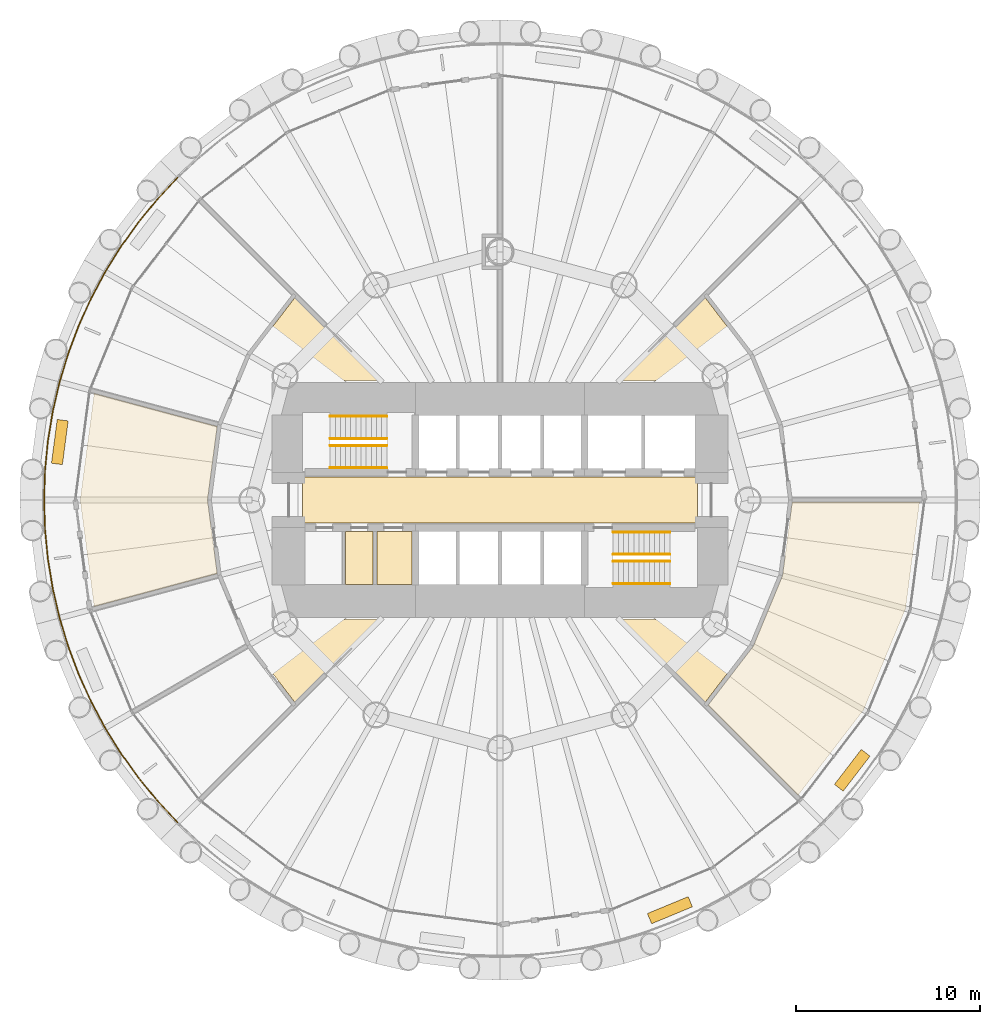
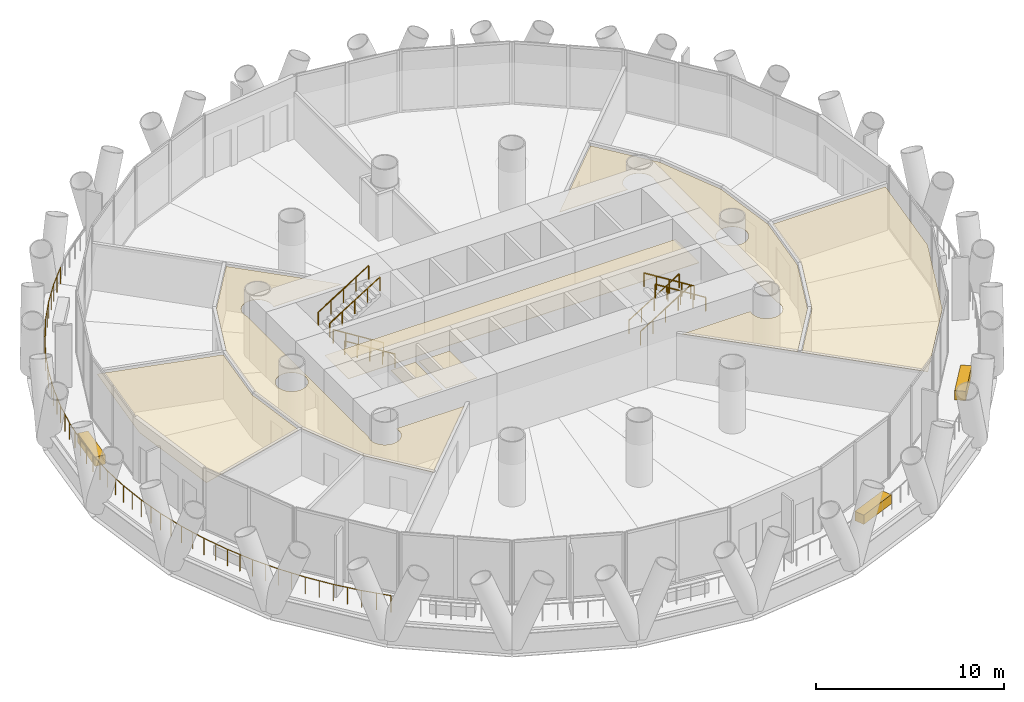
# One storey, part 12 of 14: 10 coverings, 9 railings.
"""IFC4 building model written with IfcOpenShell, lengths in metres."""

import ifcopenshell
import ifcopenshell.guid

model = None  # the IFC model being written
_history = None  # IfcOwnerHistory: only IFC2X3 demands one
_inside = {}  # id of a spatial element -> (the spatial element, [elements in it])
_under = {}  # id of a project, library or spatial element -> (it, [spatial elements below it])
_declared = {}  # id of a project -> (the project, [libraries it declares])
_typed = {}  # id of a type object -> (the type object, [elements of that type])
_made_of = {}  # id of a material, layer set ... -> (it, [elements and type objects made of it])


def new_model(schema):
    """Start an empty IFC model of exactly this schema.

    Asked for "IFC4X3", IfcOpenShell would pick the latest addendum, in which some entities
    have other attributes; the version numbers below select the first issue.
    IFC2X3 requires an IfcOwnerHistory on every rooted entity: one is made here for all.
    """
    global model, _history
    if schema == "IFC4X3":
        model = ifcopenshell.file(schema_version=(4, 3, 0, 0))
    else:
        model = ifcopenshell.file(schema=schema)
    _inside.clear()
    _under.clear()
    _declared.clear()
    _typed.clear()
    _made_of.clear()
    _history = None
    if model.schema == "IFC2X3":
        org = make("IfcOrganization", Name="unknown")
        user = make(
            "IfcPersonAndOrganization",
            ThePerson=make("IfcPerson", FamilyName="unknown"),
            TheOrganization=org,
        )
        app = make(
            "IfcApplication",
            ApplicationDeveloper=org,
            Version="unknown",
            ApplicationFullName="unknown",
            ApplicationIdentifier="unknown",
        )
        _history = make(
            "IfcOwnerHistory",
            OwningUser=user,
            OwningApplication=app,
            ChangeAction="ADDED",
            CreationDate=0,
        )
    return model


def make(cls, **values):
    """One entity of the class cls with the attributes given. An attribute that is None is left unset."""
    return model.create_entity(
        cls, **{name: value for name, value in values.items() if value is not None}
    )


def rooted(cls, **values):
    """An entity with a GlobalId (a new one), such as an element, a storey or a relation."""
    return make(cls, GlobalId=ifcopenshell.guid.new(), OwnerHistory=_history, **values)


def si_unit(unit_type, name, prefix=None):
    """IfcSIUnit, for example si_unit("LENGTHUNIT", "METRE", prefix="MILLI")."""
    return make("IfcSIUnit", UnitType=unit_type, Prefix=prefix, Name=name)


def assignment(units):
    """IfcUnitAssignment: the units of a project."""
    return None if units is None else make("IfcUnitAssignment", Units=units)


def point(xyz):
    """IfcCartesianPoint."""
    return None if xyz is None else make("IfcCartesianPoint", Coordinates=xyz)


def direction(xyz):
    """IfcDirection."""
    return None if xyz is None else make("IfcDirection", DirectionRatios=xyz)


def frame(location, z_axis=None, x_axis=None):
    """IfcAxis2Placement3D, a coordinate frame: its origin and axes. An axis left out is left unset."""
    return make(
        "IfcAxis2Placement3D",
        Location=point(location),
        Axis=direction(z_axis),
        RefDirection=direction(x_axis),
    )


def frame_2d(location, x_axis=None):
    """IfcAxis2Placement2D, a coordinate frame in the plane: its origin and x axis."""
    return make(
        "IfcAxis2Placement2D", Location=point(location), RefDirection=direction(x_axis)
    )


def origin():
    """The frame at (0, 0, 0) with its axes left unset."""
    return frame((0.0, 0.0, 0.0))


def origin_2d():
    """The frame at (0, 0) in the plane with its x axis left unset."""
    return frame_2d((0.0, 0.0))


def place(relative_to, where):
    """IfcLocalPlacement: puts the frame where relative to a parent placement (None: the world)."""
    return make(
        "IfcLocalPlacement", PlacementRelTo=relative_to, RelativePlacement=where
    )


def context(
    kind, dimensions, precision=None, world=None, true_north=None, identifier=None
):
    """IfcGeometricRepresentationContext, for example the 3D "Model" context."""
    return make(
        "IfcGeometricRepresentationContext",
        ContextIdentifier=identifier,
        ContextType=kind,
        CoordinateSpaceDimension=dimensions,
        Precision=precision,
        WorldCoordinateSystem=world,
        TrueNorth=true_north,
    )


def subcontext(parent, identifier, kind, view, scale=None):
    """IfcGeometricRepresentationSubContext, for example "Body" below "Model"."""
    return make(
        "IfcGeometricRepresentationSubContext",
        ContextIdentifier=identifier,
        ContextType=kind,
        ParentContext=parent,
        TargetScale=scale,
        TargetView=view,
    )


def project(units=None, contexts=None):
    """IfcProject with its units and contexts."""
    return rooted(
        "IfcProject",
        Name="project",
        RepresentationContexts=contexts,
        UnitsInContext=assignment(units),
    )


def spatial(cls, under=None, at=None, **own):
    """A site, building, storey or space (cls), placed at a placement, below another one or the project."""
    s = rooted(cls, ObjectPlacement=at, **own)
    if under is not None:
        _under.setdefault(under.id(), (under, []))[1].append(s)
    return s


def polyline(points):
    """IfcPolyline through the points."""
    return make("IfcPolyline", Points=[point(p) for p in points])


def profile(cls, at=None, kind="AREA", **sizes):
    """A parametric profile (cls). Its sizes go by their IFC names, for example OverallWidth=200.0."""
    return make(cls, ProfileType=kind, Position=at, **sizes)


def rectangle(**sizes):
    """IfcRectangleProfileDef."""
    return profile("IfcRectangleProfileDef", **sizes)


def circle(**sizes):
    """IfcCircleProfileDef."""
    return profile("IfcCircleProfileDef", **sizes)


def outline(outer, holes=None, kind="AREA"):
    """IfcArbitraryClosedProfileDef: a profile drawn as a closed curve; with holes, ...WithVoids."""
    if holes is None:
        return make("IfcArbitraryClosedProfileDef", ProfileType=kind, OuterCurve=outer)
    return make(
        "IfcArbitraryProfileDefWithVoids",
        ProfileType=kind,
        OuterCurve=outer,
        InnerCurves=holes,
    )


def extrude(swept, where, along, depth):
    """IfcExtrudedAreaSolid: the profile swept, set in the frame where, extruded along a direction by depth."""
    return make(
        "IfcExtrudedAreaSolid",
        SweptArea=swept,
        Position=where,
        ExtrudedDirection=direction(along),
        Depth=depth,
    )


def shape(context_of_items, identifier, shape_type, items):
    """IfcShapeRepresentation: the items that make up one representation, for example the "Body"."""
    return make(
        "IfcShapeRepresentation",
        ContextOfItems=context_of_items,
        RepresentationIdentifier=identifier,
        RepresentationType=shape_type,
        Items=items,
    )


def material(Name=None, Category=None):
    """IfcMaterial."""
    return make("IfcMaterial", Name=Name, Category=Category)


def layer(
    of_material, thickness, ventilated=None, Name=None, Category=None, Priority=None
):
    """IfcMaterialLayer: one layer of a wall or slab, of a material (None: an air gap)."""
    return make(
        "IfcMaterialLayer",
        Material=of_material,
        LayerThickness=thickness,
        IsVentilated=ventilated,
        Name=Name,
        Category=Category,
        Priority=Priority,
    )


def layer_set(layers, Name=None):
    """IfcMaterialLayerSet."""
    return make("IfcMaterialLayerSet", MaterialLayers=layers, LayerSetName=Name)


def made_of(thing, what):
    """Note that an element or type object is made of a material, layer set ...; save() writes the relation."""
    if what is not None:
        _made_of.setdefault(what.id(), (what, []))[1].append(thing)
    return thing


def type_object(cls, material=None, **own):
    """A type object (cls), such as IfcWallType, which elements share."""
    return made_of(rooted(cls, **own), material)


def element(
    cls,
    number,
    at=None,
    inside=None,
    cuts=None,
    type_object=None,
    material=None,
    context=None,
    identifier="Body",
    shape_type=None,
    held_by="IfcProductDefinitionShape",
    body=None,
    shapes=None,
    **own,
):
    """One element of the class cls, such as IfcWall. Its Tag is "e" and its number.

    at: its placement. inside: the storey or other place that contains it. cuts: it is an
    opening in that element (IfcRelVoidsElement). A single representation is given by context,
    identifier, shape_type and body (its items); several are given by shapes. held_by: the class
    of the entity that holds the representations. save() writes the other relations.
    """
    e = rooted(cls, Tag="e%d" % number, ObjectPlacement=at, **own)
    if body is not None:
        shapes = [shape(context, identifier, shape_type, body)]
    if shapes is not None:
        e.Representation = make(held_by, Representations=shapes)
    if inside is not None:
        _inside.setdefault(inside.id(), (inside, []))[1].append(e)
    if cuts is not None:
        rooted(
            "IfcRelVoidsElement", RelatingBuildingElement=cuts, RelatedOpeningElement=e
        )
    if type_object is not None:
        _typed.setdefault(type_object.id(), (type_object, []))[1].append(e)
    return made_of(e, material)


def aggregate(whole, parts):
    """IfcRelAggregates: a whole, such as a stair, and the parts it consists of."""
    return rooted("IfcRelAggregates", RelatingObject=whole, RelatedObjects=parts)


def save(model, path):
    """Write the relations noted so far, then the file.

    IfcRelAggregates (storeys below a building ...), IfcRelContainedInSpatialStructure (elements
    in a storey), IfcRelDefinesByType, IfcRelAssociatesMaterial and IfcRelDeclares: one each for
    every whole, place, type object, material and project.
    """
    for whole, parts in _under.values():
        aggregate(whole, parts)
    for where, things in _inside.values():
        rooted(
            "IfcRelContainedInSpatialStructure",
            RelatedElements=things,
            RelatingStructure=where,
        )
    for kind, things in _typed.values():
        rooted("IfcRelDefinesByType", RelatedObjects=things, RelatingType=kind)
    for what, things in _made_of.values():
        rooted("IfcRelAssociatesMaterial", RelatedObjects=things, RelatingMaterial=what)
    for by, libraries in _declared.values():
        rooted("IfcRelDeclares", RelatingContext=by, RelatedDefinitions=libraries)
    model.write(path)


model = new_model("IFC4")

# Units and contexts
model_context = context("Model", 3, precision=1e-05, world=origin(), true_north=direction((0.0, 1.0)))
body_context = subcontext(model_context, "Body", "Model", "MODEL_VIEW")
ifc_project = project(units=[si_unit("LENGTHUNIT", "METRE"), si_unit("AREAUNIT", "SQUARE_METRE"), si_unit("VOLUMEUNIT", "CUBIC_METRE"), si_unit("PLANEANGLEUNIT", "RADIAN"), si_unit("MASSUNIT", "GRAM", prefix="KILO")], contexts=[model_context])

# Site, building, storey
site_placement = place(None, origin())
site = spatial("IfcSite", under=ifc_project, at=site_placement, CompositionType="ELEMENT")
building_placement = place(site_placement, origin())
building = spatial("IfcBuilding", under=site, at=building_placement, Name="Qaws Media Tower", CompositionType="ELEMENT")
storey_placement = place(building_placement, frame((0.0, 0.0, 76.39990234375)))
storey = spatial("IfcBuildingStorey", under=building, at=storey_placement, Name="L16", CompositionType="ELEMENT", Elevation=76.39990234375)

# Railing
ifc_material_1 = material(Name="Stainless steel and glass guard", Category="steel")
railing_type_1 = type_object("IfcRailingType", Name="Balcony guard 1100", PredefinedType="GUARDRAIL", material=ifc_material_1)
railing_placement = place(storey_placement, frame((42.4638671875, 67.5361328125, 0.0)))
element("IfcRailing", 1, at=railing_placement, inside=storey, type_object=railing_type_1, Name="GR1 balcony guard L16-2", PredefinedType="GUARDRAIL", context=body_context, shape_type="SweptSolid", body=[
    extrude(circle(Radius=0.02392578125, at=origin_2d()), frame((0.0, 0.0, 1.076171875), z_axis=(-0.683635794022, -0.729823335563, 0.0), x_axis=(0.729823335563, -0.683635794022, 0.0)), (0.0, 0.0, 1.0), 1.622802734375),
    extrude(circle(Radius=0.02392578125, at=origin_2d()), frame((-1.109375, -1.184326171875, 1.076171875), z_axis=(-0.634351188595, -0.773044998385, 0.0), x_axis=(0.773044998385, -0.634351188595, 0.0)), (0.0, 0.0, 1.0), 1.623046875),
    extrude(circle(Radius=0.02392578125, at=origin_2d()), frame((-2.138916015625, -2.43896484375, 1.076171875), z_axis=(-0.582504032604, -0.812827812024, 0.0), x_axis=(0.812827812024, -0.582504032604, 0.0)), (0.0, 0.0, 1.0), 1.622802734375),
    extrude(circle(Radius=0.02392578125, at=origin_2d()), frame((-3.084228515625, -3.758056640625, 1.076171875), z_axis=(-0.528145239967, -0.849154052867, 0.0), x_axis=(0.849154052867, -0.528145239967, 0.0)), (0.0, 0.0, 1.0), 1.623046875),
    extrude(circle(Radius=0.02392578125, at=origin_2d()), frame((-3.94140625, -5.13623046875, 1.076171875), z_axis=(-0.471361130301, -0.881940295508, 0.0), x_axis=(0.881940295508, -0.471361130301, 0.0)), (0.0, 0.0, 1.0), 1.622802734375),
    extrude(circle(Radius=0.02392578125, at=origin_2d()), frame((-4.706298828125, -6.5673828125, 1.076171875), z_axis=(-0.412646518677, -0.910891239734, 0.0), x_axis=(0.910891239734, -0.412646518677, 0.0)), (0.0, 0.0, 1.0), 1.622802734375),
    extrude(circle(Radius=0.02392578125, at=origin_2d()), frame((-5.3759765625, -8.045654296875, 1.076171875), z_axis=(-0.352326658486, -0.935877089003, 0.0), x_axis=(0.935877089003, -0.352326658486, 0.0)), (0.0, 0.0, 1.0), 1.622802734375),
    extrude(circle(Radius=0.02392578125, at=origin_2d()), frame((-5.94775390625, -9.564453125, 1.076171875), z_axis=(-0.290341398585, -0.956923127669, 0.0), x_axis=(0.956923127669, -0.290341398585, 0.0)), (0.0, 0.0, 1.0), 1.622802734375),
    extrude(circle(Radius=0.02392578125, at=origin_2d()), frame((-6.4189453125, -11.117431640625, 1.076171875), z_axis=(-0.227001346389, -0.973894444351, 0.0), x_axis=(0.973894444351, -0.227001346389, 0.0)), (0.0, 0.0, 1.0), 1.623046875),
    extrude(circle(Radius=0.02392578125, at=origin_2d()), frame((-6.787353515625, -12.697998046875, 1.076171875), z_axis=(-0.162934989647, -0.986636807112, 0.0), x_axis=(0.986636807112, -0.162934989647, 0.0)), (0.0, 0.0, 1.0), 1.622802734375),
    extrude(circle(Radius=0.02392578125, at=origin_2d()), frame((-7.0517578125, -14.299072265625, 1.076171875), z_axis=(-0.097939565983, -0.995192364026, 0.0), x_axis=(0.995192364026, -0.097939565983, 0.0)), (0.0, 0.0, 1.0), 1.622802734375),
    extrude(circle(Radius=0.02392578125, at=origin_2d()), frame((-7.210693359375, -15.9140625, 1.076171875), z_axis=(-0.032793911114, -0.999462135048, 0.0), x_axis=(0.999462135048, -0.032793911114, 0.0)), (0.0, 0.0, 1.0), 1.623046875),
    extrude(circle(Radius=0.02392578125, at=origin_2d()), frame((-7.263916015625, -17.5361328125, 1.076171875), z_axis=(0.032793911114, -0.999462135048, 0.0), x_axis=(0.999462135048, 0.032793911114, 0.0)), (0.0, 0.0, 1.0), 1.623046875),
    extrude(circle(Radius=0.02392578125, at=origin_2d()), frame((-7.210693359375, -19.158203125, 1.076171875), z_axis=(0.097939565983, -0.995192364026, 0.0), x_axis=(0.995192364026, 0.097939565983, 0.0)), (0.0, 0.0, 1.0), 1.622802734375),
    extrude(circle(Radius=0.02392578125, at=origin_2d()), frame((-7.0517578125, -20.773193359375, 1.076171875), z_axis=(0.162934989647, -0.986636807112, 0.0), x_axis=(0.986636807112, 0.162934989647, 0.0)), (0.0, 0.0, 1.0), 1.622802734375),
    extrude(circle(Radius=0.02392578125, at=origin_2d()), frame((-6.787353515625, -22.374267578125, 1.076171875), z_axis=(0.227001346389, -0.973894444351, 0.0), x_axis=(0.973894444351, 0.227001346389, 0.0)), (0.0, 0.0, 1.0), 1.623046875),
    extrude(circle(Radius=0.02392578125, at=origin_2d()), frame((-6.4189453125, -23.954833984375, 1.076171875), z_axis=(0.290341398585, -0.956923127669, 0.0), x_axis=(0.956923127669, 0.290341398585, 0.0)), (0.0, 0.0, 1.0), 1.622802734375),
    extrude(circle(Radius=0.02392578125, at=origin_2d()), frame((-5.94775390625, -25.5078125, 1.076171875), z_axis=(0.352326658486, -0.935877089003, 0.0), x_axis=(0.935877089003, 0.352326658486, 0.0)), (0.0, 0.0, 1.0), 1.622802734375),
    extrude(circle(Radius=0.02392578125, at=origin_2d()), frame((-5.3759765625, -27.026611328125, 1.076171875), z_axis=(0.412646518677, -0.910891239734, 0.0), x_axis=(0.910891239734, 0.412646518677, 0.0)), (0.0, 0.0, 1.0), 1.622802734375),
    extrude(circle(Radius=0.02392578125, at=origin_2d()), frame((-4.706298828125, -28.5048828125, 1.076171875), z_axis=(0.471361130301, -0.881940295508, 0.0), x_axis=(0.881940295508, 0.471361130301, 0.0)), (0.0, 0.0, 1.0), 1.622802734375),
    extrude(circle(Radius=0.02392578125, at=origin_2d()), frame((-3.94140625, -29.93603515625, 1.076171875), z_axis=(0.528145239967, -0.849154052867, 0.0), x_axis=(0.849154052867, 0.528145239967, 0.0)), (0.0, 0.0, 1.0), 1.623046875),
    extrude(circle(Radius=0.02392578125, at=origin_2d()), frame((-3.084228515625, -31.314208984375, 1.076171875), z_axis=(0.582504032604, -0.812827812024, 0.0), x_axis=(0.812827812024, 0.582504032604, 0.0)), (0.0, 0.0, 1.0), 1.622802734375),
    extrude(circle(Radius=0.02392578125, at=origin_2d()), frame((-2.138916015625, -32.63330078125, 1.076171875), z_axis=(0.634351188595, -0.773044998385, 0.0), x_axis=(0.773044998385, 0.634351188595, 0.0)), (0.0, 0.0, 1.0), 1.623046875),
    extrude(circle(Radius=0.02392578125, at=origin_2d()), frame((-1.109375, -33.887939453125, 1.076171875), z_axis=(0.683635794022, -0.729823335563, 0.0), x_axis=(0.729823335563, 0.683635794022, 0.0)), (0.0, 0.0, 1.0), 1.622802734375),
    extrude(circle(Radius=0.02099609375, at=origin_2d()), origin(), (0.0, 0.0, 1.0), 1.052001953125),
    extrude(circle(Radius=0.02099609375, at=origin_2d()), frame((-0.5546875, -0.59228515625, 0.0)), (0.0, 0.0, 1.0), 1.052001953125),
    extrude(circle(Radius=0.02099609375, at=origin_2d()), frame((-1.109375, -1.184326171875, 0.0)), (0.0, 0.0, 1.0), 1.052001953125),
    extrude(circle(Radius=0.02099609375, at=origin_2d()), frame((-1.6240234375, -1.8115234375, 0.0)), (0.0, 0.0, 1.0), 1.052001953125),
    extrude(circle(Radius=0.02099609375, at=origin_2d()), frame((-2.138916015625, -2.43896484375, 0.0)), (0.0, 0.0, 1.0), 1.052001953125),
    extrude(circle(Radius=0.02099609375, at=origin_2d()), frame((-2.611572265625, -3.0986328125, 0.0)), (0.0, 0.0, 1.0), 1.052001953125),
    extrude(circle(Radius=0.02099609375, at=origin_2d()), frame((-3.084228515625, -3.758056640625, 0.0)), (0.0, 0.0, 1.0), 1.052001953125),
    extrude(circle(Radius=0.02099609375, at=origin_2d()), frame((-3.5126953125, -4.447265625, 0.0)), (0.0, 0.0, 1.0), 1.052001953125),
    extrude(circle(Radius=0.02099609375, at=origin_2d()), frame((-3.94140625, -5.13623046875, 0.0)), (0.0, 0.0, 1.0), 1.052001953125),
    extrude(circle(Radius=0.02099609375, at=origin_2d()), frame((-4.32373046875, -5.851806640625, 0.0)), (0.0, 0.0, 1.0), 1.052001953125),
    extrude(circle(Radius=0.02099609375, at=origin_2d()), frame((-4.706298828125, -6.5673828125, 0.0)), (0.0, 0.0, 1.0), 1.052001953125),
    extrude(circle(Radius=0.02099609375, at=origin_2d()), frame((-5.041015625, -7.306640625, 0.0)), (0.0, 0.0, 1.0), 1.052001953125),
    extrude(circle(Radius=0.02099609375, at=origin_2d()), frame((-5.3759765625, -8.045654296875, 0.0)), (0.0, 0.0, 1.0), 1.052001953125),
    extrude(circle(Radius=0.02099609375, at=origin_2d()), frame((-5.661865234375, -8.80517578125, 0.0)), (0.0, 0.0, 1.0), 1.052001953125),
    extrude(circle(Radius=0.02099609375, at=origin_2d()), frame((-5.94775390625, -9.564453125, 0.0)), (0.0, 0.0, 1.0), 1.052001953125),
    extrude(circle(Radius=0.02099609375, at=origin_2d()), frame((-6.183349609375, -10.3408203125, 0.0)), (0.0, 0.0, 1.0), 1.052001953125),
    extrude(circle(Radius=0.02099609375, at=origin_2d()), frame((-6.4189453125, -11.117431640625, 0.0)), (0.0, 0.0, 1.0), 1.052001953125),
    extrude(circle(Radius=0.02099609375, at=origin_2d()), frame((-6.60302734375, -11.90771484375, 0.0)), (0.0, 0.0, 1.0), 1.052001953125),
    extrude(circle(Radius=0.02099609375, at=origin_2d()), frame((-6.787353515625, -12.697998046875, 0.0)), (0.0, 0.0, 1.0), 1.052001953125),
    extrude(circle(Radius=0.02099609375, at=origin_2d()), frame((-6.91943359375, -13.49853515625, 0.0)), (0.0, 0.0, 1.0), 1.052001953125),
    extrude(circle(Radius=0.02099609375, at=origin_2d()), frame((-7.0517578125, -14.299072265625, 0.0)), (0.0, 0.0, 1.0), 1.052001953125),
    extrude(circle(Radius=0.02099609375, at=origin_2d()), frame((-7.13134765625, -15.1064453125, 0.0)), (0.0, 0.0, 1.0), 1.052001953125),
    extrude(circle(Radius=0.02099609375, at=origin_2d()), frame((-7.210693359375, -15.9140625, 0.0)), (0.0, 0.0, 1.0), 1.052001953125),
    extrude(circle(Radius=0.02099609375, at=origin_2d()), frame((-7.2373046875, -16.72509765625, 0.0)), (0.0, 0.0, 1.0), 1.052001953125),
    extrude(circle(Radius=0.02099609375, at=origin_2d()), frame((-7.263916015625, -17.5361328125, 0.0)), (0.0, 0.0, 1.0), 1.052001953125),
    extrude(circle(Radius=0.02099609375, at=origin_2d()), frame((-7.2373046875, -18.34716796875, 0.0)), (0.0, 0.0, 1.0), 1.052001953125),
    extrude(circle(Radius=0.02099609375, at=origin_2d()), frame((-7.210693359375, -19.158203125, 0.0)), (0.0, 0.0, 1.0), 1.052001953125),
    extrude(circle(Radius=0.02099609375, at=origin_2d()), frame((-7.13134765625, -19.9658203125, 0.0)), (0.0, 0.0, 1.0), 1.052001953125),
    extrude(circle(Radius=0.02099609375, at=origin_2d()), frame((-7.0517578125, -20.773193359375, 0.0)), (0.0, 0.0, 1.0), 1.052001953125),
    extrude(circle(Radius=0.02099609375, at=origin_2d()), frame((-6.91943359375, -21.57373046875, 0.0)), (0.0, 0.0, 1.0), 1.052001953125),
    extrude(circle(Radius=0.02099609375, at=origin_2d()), frame((-6.787353515625, -22.374267578125, 0.0)), (0.0, 0.0, 1.0), 1.052001953125),
    extrude(circle(Radius=0.02099609375, at=origin_2d()), frame((-6.60302734375, -23.16455078125, 0.0)), (0.0, 0.0, 1.0), 1.052001953125),
    extrude(circle(Radius=0.02099609375, at=origin_2d()), frame((-6.4189453125, -23.954833984375, 0.0)), (0.0, 0.0, 1.0), 1.052001953125),
    extrude(circle(Radius=0.02099609375, at=origin_2d()), frame((-6.183349609375, -24.7314453125, 0.0)), (0.0, 0.0, 1.0), 1.052001953125),
    extrude(circle(Radius=0.02099609375, at=origin_2d()), frame((-5.94775390625, -25.5078125, 0.0)), (0.0, 0.0, 1.0), 1.052001953125),
    extrude(circle(Radius=0.02099609375, at=origin_2d()), frame((-5.661865234375, -26.26708984375, 0.0)), (0.0, 0.0, 1.0), 1.052001953125),
    extrude(circle(Radius=0.02099609375, at=origin_2d()), frame((-5.3759765625, -27.026611328125, 0.0)), (0.0, 0.0, 1.0), 1.052001953125),
    extrude(circle(Radius=0.02099609375, at=origin_2d()), frame((-5.041015625, -27.765625, 0.0)), (0.0, 0.0, 1.0), 1.052001953125),
    extrude(circle(Radius=0.02099609375, at=origin_2d()), frame((-4.706298828125, -28.5048828125, 0.0)), (0.0, 0.0, 1.0), 1.052001953125),
    extrude(circle(Radius=0.02099609375, at=origin_2d()), frame((-4.32373046875, -29.220458984375, 0.0)), (0.0, 0.0, 1.0), 1.052001953125),
    extrude(circle(Radius=0.02099609375, at=origin_2d()), frame((-3.94140625, -29.93603515625, 0.0)), (0.0, 0.0, 1.0), 1.052001953125),
    extrude(circle(Radius=0.02099609375, at=origin_2d()), frame((-3.5126953125, -30.625, 0.0)), (0.0, 0.0, 1.0), 1.052001953125),
    extrude(circle(Radius=0.02099609375, at=origin_2d()), frame((-3.084228515625, -31.314208984375, 0.0)), (0.0, 0.0, 1.0), 1.052001953125),
    extrude(circle(Radius=0.02099609375, at=origin_2d()), frame((-2.611572265625, -31.9736328125, 0.0)), (0.0, 0.0, 1.0), 1.052001953125),
    extrude(circle(Radius=0.02099609375, at=origin_2d()), frame((-2.138916015625, -32.63330078125, 0.0)), (0.0, 0.0, 1.0), 1.052001953125),
    extrude(circle(Radius=0.02099609375, at=origin_2d()), frame((-1.6240234375, -33.2607421875, 0.0)), (0.0, 0.0, 1.0), 1.052001953125),
    extrude(circle(Radius=0.02099609375, at=origin_2d()), frame((-1.109375, -33.887939453125, 0.0)), (0.0, 0.0, 1.0), 1.052001953125),
    extrude(circle(Radius=0.02099609375, at=origin_2d()), frame((-0.5546875, -34.47998046875, 0.0)), (0.0, 0.0, 1.0), 1.052001953125),
    extrude(circle(Radius=0.02099609375, at=origin_2d()), frame((0.0, -35.072265625, 0.0)), (0.0, 0.0, 1.0), 1.052001953125),
])

# Coverings
ifc_material_2 = material(Name="600 x 600 mineral fibre tiles in exposed grid, suspended", Category="mineral fibre")
ifc_layer_1 = layer(ifc_material_2, 0.02001953125)
ifc_layer_set_1 = layer_set([ifc_layer_1], Name="Mineral fibre tile ceiling 20")
covering_type_1 = type_object("IfcCoveringType", Name="Mineral fibre tile ceiling 20", PredefinedType="CEILING", material=ifc_layer_set_1)
covering_1_placement = place(storey_placement, frame((0.0, 0.0, 2.85009765625)))
element("IfcCovering", 2, at=covering_1_placement, inside=storey, type_object=covering_type_1, Name="CL1 ceiling L16-01 Corridor", PredefinedType="CEILING", context=body_context, shape_type="SweptSolid", body=[
    extrude(outline(polyline([(46.4150390625, 42.15673828125), (44.847900390625, 45.93994140625), (44.3134765625, 50.0), (44.847900390625, 54.06005859375), (46.4150390625, 57.84326171875), (48.8388671875, 61.001953125), (53.328369140625, 56.512451171875), (49.14599609375, 56.512451171875), (49.14990234375, 56.524658203125), (49.172119140625, 56.63623046875), (49.1796875, 56.75), (49.172119140625, 56.86376953125), (49.14990234375, 56.975341796875), (49.11328125, 57.083251953125), (49.06298828125, 57.185546875), (48.999755859375, 57.2802734375), (48.924560546875, 57.365966796875), (48.8388671875, 57.44091796875), (48.744140625, 57.50439453125), (48.64208984375, 57.5546875), (48.5341796875, 57.59130859375), (48.42236328125, 57.613525390625), (48.30859375, 57.62109375), (48.195068359375, 57.613525390625), (48.083251953125, 57.59130859375), (47.975341796875, 57.5546875), (47.873291015625, 57.50439453125), (47.7783203125, 57.44091796875), (47.69287109375, 57.365966796875), (47.61767578125, 57.2802734375), (47.55419921875, 57.185546875), (47.50390625, 57.083251953125), (47.46728515625, 56.975341796875), (47.445068359375, 56.86376953125), (47.437744140625, 56.75), (47.445068359375, 56.63623046875), (47.46728515625, 56.524658203125), (47.487548828125, 56.465087890625), (47.487548828125, 43.534912109375), (47.46728515625, 43.475341796875), (47.445068359375, 43.36376953125), (47.437744140625, 43.25), (47.445068359375, 43.13623046875), (47.46728515625, 43.024658203125), (47.50390625, 42.916748046875), (47.55419921875, 42.814453125), (47.61767578125, 42.7197265625), (47.69287109375, 42.634033203125), (47.7783203125, 42.55908203125), (47.873291015625, 42.49560546875), (47.975341796875, 42.4453125), (48.083251953125, 42.40869140625), (48.195068359375, 42.386474609375), (48.30859375, 42.37890625), (48.42236328125, 42.386474609375), (48.5341796875, 42.40869140625), (48.64208984375, 42.4453125), (48.744140625, 42.49560546875), (48.8388671875, 42.55908203125), (48.924560546875, 42.634033203125), (48.999755859375, 42.7197265625), (49.06298828125, 42.814453125), (49.11328125, 42.916748046875), (49.14990234375, 43.024658203125), (49.172119140625, 43.13623046875), (49.1796875, 43.25), (49.172119140625, 43.36376953125), (49.14990234375, 43.475341796875), (49.14599609375, 43.487548828125), (53.328369140625, 43.487548828125), (48.8388671875, 38.998046875), (46.4150390625, 42.15673828125)]), holes=[polyline([(47.3046875, 49.666748046875), (47.34130859375, 49.774658203125), (47.363525390625, 49.88623046875), (47.37109375, 50.0), (47.363525390625, 50.11376953125), (47.34130859375, 50.225341796875), (47.3046875, 50.333251953125), (47.25439453125, 50.435546875), (47.19091796875, 50.5302734375), (47.115966796875, 50.615966796875), (47.0302734375, 50.69091796875), (46.935546875, 50.75439453125), (46.833251953125, 50.8046875), (46.725341796875, 50.84130859375), (46.61376953125, 50.863525390625), (46.5, 50.87109375), (46.38623046875, 50.863525390625), (46.274658203125, 50.84130859375), (46.166748046875, 50.8046875), (46.064453125, 50.75439453125), (45.9697265625, 50.69091796875), (45.884033203125, 50.615966796875), (45.80908203125, 50.5302734375), (45.74560546875, 50.435546875), (45.6953125, 50.333251953125), (45.65869140625, 50.225341796875), (45.636474609375, 50.11376953125), (45.62890625, 50.0), (45.636474609375, 49.88623046875), (45.65869140625, 49.774658203125), (45.6953125, 49.666748046875), (45.74560546875, 49.564453125), (45.80908203125, 49.4697265625), (45.884033203125, 49.384033203125), (45.9697265625, 49.30908203125), (46.064453125, 49.24560546875), (46.166748046875, 49.1953125), (46.274658203125, 49.15869140625), (46.38623046875, 49.136474609375), (46.5, 49.12890625), (46.61376953125, 49.136474609375), (46.725341796875, 49.15869140625), (46.833251953125, 49.1953125), (46.935546875, 49.24560546875), (47.0302734375, 49.30908203125), (47.115966796875, 49.384033203125), (47.19091796875, 49.4697265625), (47.25439453125, 49.564453125), (47.3046875, 49.666748046875)])]), origin(), (0.0, 0.0, 1.0), 0.02001953125),
])
covering_2_placement = place(storey_placement, frame((0.0, 0.0, 2.85009765625)))
element("IfcCovering", 3, at=covering_2_placement, inside=storey, type_object=covering_type_1, Name="CL1 ceiling L16-01-1 Corridor", PredefinedType="CEILING", context=body_context, shape_type="SweptSolid", body=[
    extrude(outline(polyline([(73.5849609375, 57.84326171875), (75.152099609375, 54.06005859375), (75.6865234375, 50.0), (75.152099609375, 45.93994140625), (73.5849609375, 42.15673828125), (71.1611328125, 38.998046875), (66.671630859375, 43.487548828125), (70.85400390625, 43.487548828125), (70.85009765625, 43.475341796875), (70.827880859375, 43.36376953125), (70.8203125, 43.25), (70.827880859375, 43.13623046875), (70.85009765625, 43.024658203125), (70.88671875, 42.916748046875), (70.93701171875, 42.814453125), (71.000244140625, 42.7197265625), (71.075439453125, 42.634033203125), (71.1611328125, 42.55908203125), (71.255859375, 42.49560546875), (71.35791015625, 42.4453125), (71.4658203125, 42.40869140625), (71.57763671875, 42.386474609375), (71.69140625, 42.37890625), (71.804931640625, 42.386474609375), (71.916748046875, 42.40869140625), (72.024658203125, 42.4453125), (72.126708984375, 42.49560546875), (72.2216796875, 42.55908203125), (72.30712890625, 42.634033203125), (72.38232421875, 42.7197265625), (72.44580078125, 42.814453125), (72.49609375, 42.916748046875), (72.53271484375, 43.024658203125), (72.554931640625, 43.13623046875), (72.562255859375, 43.25), (72.554931640625, 43.36376953125), (72.53271484375, 43.475341796875), (72.512451171875, 43.534912109375), (72.512451171875, 56.465087890625), (72.53271484375, 56.524658203125), (72.554931640625, 56.63623046875), (72.562255859375, 56.75), (72.554931640625, 56.86376953125), (72.53271484375, 56.975341796875), (72.49609375, 57.083251953125), (72.44580078125, 57.185546875), (72.38232421875, 57.2802734375), (72.30712890625, 57.365966796875), (72.2216796875, 57.44091796875), (72.126708984375, 57.50439453125), (72.024658203125, 57.5546875), (71.916748046875, 57.59130859375), (71.804931640625, 57.613525390625), (71.69140625, 57.62109375), (71.57763671875, 57.613525390625), (71.4658203125, 57.59130859375), (71.35791015625, 57.5546875), (71.255859375, 57.50439453125), (71.1611328125, 57.44091796875), (71.075439453125, 57.365966796875), (71.000244140625, 57.2802734375), (70.93701171875, 57.185546875), (70.88671875, 57.083251953125), (70.85009765625, 56.975341796875), (70.827880859375, 56.86376953125), (70.8203125, 56.75), (70.827880859375, 56.63623046875), (70.85009765625, 56.524658203125), (70.85400390625, 56.512451171875), (66.671630859375, 56.512451171875), (71.1611328125, 61.001953125), (73.5849609375, 57.84326171875)]), holes=[polyline([(74.34130859375, 49.774658203125), (74.363525390625, 49.88623046875), (74.37109375, 50.0), (74.363525390625, 50.11376953125), (74.34130859375, 50.225341796875), (74.3046875, 50.333251953125), (74.25439453125, 50.435546875), (74.19091796875, 50.5302734375), (74.115966796875, 50.615966796875), (74.0302734375, 50.69091796875), (73.935546875, 50.75439453125), (73.833251953125, 50.8046875), (73.725341796875, 50.84130859375), (73.61376953125, 50.863525390625), (73.5, 50.87109375), (73.38623046875, 50.863525390625), (73.274658203125, 50.84130859375), (73.166748046875, 50.8046875), (73.064453125, 50.75439453125), (72.9697265625, 50.69091796875), (72.884033203125, 50.615966796875), (72.80908203125, 50.5302734375), (72.74560546875, 50.435546875), (72.6953125, 50.333251953125), (72.65869140625, 50.225341796875), (72.636474609375, 50.11376953125), (72.62890625, 50.0), (72.636474609375, 49.88623046875), (72.65869140625, 49.774658203125), (72.6953125, 49.666748046875), (72.74560546875, 49.564453125), (72.80908203125, 49.4697265625), (72.884033203125, 49.384033203125), (72.9697265625, 49.30908203125), (73.064453125, 49.24560546875), (73.166748046875, 49.1953125), (73.274658203125, 49.15869140625), (73.38623046875, 49.136474609375), (73.5, 49.12890625), (73.61376953125, 49.136474609375), (73.725341796875, 49.15869140625), (73.833251953125, 49.1953125), (73.935546875, 49.24560546875), (74.0302734375, 49.30908203125), (74.115966796875, 49.384033203125), (74.19091796875, 49.4697265625), (74.25439453125, 49.564453125), (74.3046875, 49.666748046875), (74.34130859375, 49.774658203125)])]), origin(), (0.0, 0.0, 1.0), 0.02001953125),
])
covering_3_placement = place(storey_placement, frame((0.0, 0.0, 2.85009765625)))
element("IfcCovering", 4, at=covering_3_placement, inside=storey, type_object=covering_type_1, Name="CL1 ceiling L16-06 Graphics studio", PredefinedType="CEILING", context=body_context, shape_type="SweptSolid", body=[
    extrude(outline(polyline([(37.164794921875, 50.0), (37.927978515625, 55.797607421875), (44.614013671875, 54.006103515625), (44.08642578125, 50.0), (44.614013671875, 45.993896484375), (37.927978515625, 44.202392578125), (37.164794921875, 50.0)])), origin(), (0.0, 0.0, 1.0), 0.02001953125),
])
covering_4_placement = place(storey_placement, frame((0.0, 0.0, 2.85009765625)))
element("IfcCovering", 5, at=covering_4_placement, inside=storey, type_object=covering_type_1, Name="CL1 ceiling L16-10 Media lab", PredefinedType="CEILING", context=body_context, shape_type="SweptSolid", body=[
    extrude(outline(polyline([(82.05712890625, 44.08984375), (79.77587890625, 38.58251953125), (76.216064453125, 33.943115234375), (71.321533203125, 38.83740234375), (73.781494140625, 42.043212890625), (75.37109375, 45.88134765625), (75.898681640625, 49.887451171875), (82.8203125, 49.887451171875), (82.05712890625, 44.08984375)])), origin(), (0.0, 0.0, 1.0), 0.02001953125),
])
ifc_material_3 = material(Name="Precast concrete planter with trailing planting", Category="concrete")
ifc_layer_2 = layer(ifc_material_3, 0.60009765625)
ifc_layer_set_2 = layer_set([ifc_layer_2], Name="Planter 2400x600")
covering_type_2 = type_object("IfcCoveringType", Name="Planter 2400x600", PredefinedType="USERDEFINED", material=ifc_layer_set_2)
for number, where, z_axis, x_axis, name in (
    (6, (36.056640625, 53.152099609375, 0.0), (0.0, 0.0, 1.0), (-0.13052619222, -0.991444861374, 0.0), "PL1 balcony planter L16-06"),
    (7, (69.24169921875, 27.688232421875, 0.0), (0.0, 0.0, 1.0), (0.923879532511, 0.382683432365, 0.0), "PL1 balcony planter L16-10"),
    (8, (79.159423828125, 35.29833984375, 0.0), (0.0, 0.0, 1.0), (0.608761429009, 0.793353340291, 0.0), "PL1 balcony planter L16-11"),
):
    element("IfcCovering", number, at=place(storey_placement, frame(where, z_axis=z_axis, x_axis=x_axis)), inside=storey, type_object=covering_type_2, Name=name, ObjectType="PLANTER", PredefinedType="USERDEFINED", context=body_context, shape_type="SweptSolid", body=[
        extrude(rectangle(XDim=2.39990234375, YDim=0.60009765625, at=origin_2d()), origin(), (0.0, 0.0, 1.0), 0.60009765625),
    ])
ifc_material_4 = material(Name="Two layers 12.5 moisture-resistant plasterboard on suspended metal furring", Category="gypsum")
ifc_layer_3 = layer(ifc_material_4, 0.02490234375)
ifc_layer_set_3 = layer_set([ifc_layer_3], Name="Plasterboard ceiling 25")
covering_type_3 = type_object("IfcCoveringType", Name="Plasterboard ceiling 25", PredefinedType="CEILING", material=ifc_layer_set_3)
covering_5_placement = place(storey_placement, frame((0.0, 0.0, 2.85009765625)))
element("IfcCovering", 9, at=covering_5_placement, inside=storey, type_object=covering_type_3, Name="CL2 ceiling L16-C01 Lift lobby", PredefinedType="CEILING", context=body_context, shape_type="SweptSolid", body=[
    extrude(outline(polyline([(49.25, 48.75), (49.25, 51.25), (70.75, 51.25), (70.75, 48.75), (49.25, 48.75)])), origin(), (0.0, 0.0, 1.0), 0.02490234375),
])
covering_6_placement = place(storey_placement, frame((0.0, 0.0, 2.85009765625)))
element("IfcCovering", 10, at=covering_6_placement, inside=storey, type_object=covering_type_3, Name="CL2 ceiling L16-C05 WC female", PredefinedType="CEILING", context=body_context, shape_type="SweptSolid", body=[
    extrude(outline(polyline([(51.60009765625, 45.39990234375), (51.60009765625, 48.300048828125), (53.10009765625, 48.300048828125), (53.10009765625, 45.39990234375), (51.60009765625, 45.39990234375)])), origin(), (0.0, 0.0, 1.0), 0.02490234375),
])
covering_7_placement = place(storey_placement, frame((0.0, 0.0, 2.85009765625)))
element("IfcCovering", 11, at=covering_7_placement, inside=storey, type_object=covering_type_3, Name="CL2 ceiling L16-C06 Accessible WC", PredefinedType="CEILING", context=body_context, shape_type="SweptSolid", body=[
    extrude(outline(polyline([(53.300048828125, 45.39990234375), (53.300048828125, 48.300048828125), (55.199951171875, 48.300048828125), (55.199951171875, 45.39990234375), (53.300048828125, 45.39990234375)])), origin(), (0.0, 0.0, 1.0), 0.02490234375),
])

# Railings
ifc_material_5 = material(Name="Steel tube handrail", Category="steel")
railing_type_2 = type_object("IfcRailingType", Name="Stair handrail 900", PredefinedType="HANDRAIL", material=ifc_material_5)
for number, where, name in (
    (12, (53.840087890625, 51.75, 0.175048828125), "HR1 handrail S1 flight 1 L16"),
    (13, (53.840087890625, 52.9599609375, 0.175048828125), "HR1 handrail S1 flight 1 L16"),
):
    element("IfcRailing", number, at=place(storey_placement, frame(where)), inside=storey, type_object=railing_type_2, Name=name, PredefinedType="HANDRAIL", context=body_context, shape_type="SweptSolid", body=[
        extrude(circle(Radius=0.02392578125, at=origin_2d()), frame((0.0, 0.0, 0.8759765625), z_axis=(-0.847998304005, 0.0, 0.529998940003), x_axis=(0.0, -1.0, 0.0)), (0.0, 0.0, 1.0), 3.632080078125),
        extrude(circle(Radius=0.02099609375, at=origin_2d()), origin(), (0.0, 0.0, 1.0), 0.851806640625),
        extrude(circle(Radius=0.02099609375, at=origin_2d()), frame((-0.77001953125, 0.0, 0.481201171875)), (0.0, 0.0, 1.0), 0.851806640625),
        extrude(circle(Radius=0.02099609375, at=origin_2d()), frame((-1.5400390625, 0.0, 0.96240234375)), (0.0, 0.0, 1.0), 0.851806640625),
        extrude(circle(Radius=0.02099609375, at=origin_2d()), frame((-2.31005859375, 0.0, 1.44384765625)), (0.0, 0.0, 1.0), 0.851806640625),
        extrude(circle(Radius=0.02099609375, at=origin_2d()), frame((-3.080078125, 0.0, 1.925048828125)), (0.0, 0.0, 1.0), 0.851806640625),
    ])
for number, where, name in (
    (14, (50.760009765625, 54.550048828125, 2.275146484375), "HR1 handrail S1 flight 2 L16"),
    (15, (50.760009765625, 53.340087890625, 2.275146484375), "HR1 handrail S1 flight 2 L16"),
    (16, (66.159912109375, 48.25, 0.175048828125), "HR1 handrail S2 flight 1 L16"),
    (17, (66.159912109375, 47.0400390625, 0.175048828125), "HR1 handrail S2 flight 1 L16"),
):
    element("IfcRailing", number, at=place(storey_placement, frame(where)), inside=storey, type_object=railing_type_2, Name=name, PredefinedType="HANDRAIL", context=body_context, shape_type="SweptSolid", body=[
        extrude(circle(Radius=0.02392578125, at=origin_2d()), frame((0.0, 0.0, 0.8759765625), z_axis=(0.847998304005, 0.0, 0.529998940003), x_axis=(0.0, 1.0, 0.0)), (0.0, 0.0, 1.0), 3.632080078125),
        extrude(circle(Radius=0.02099609375, at=origin_2d()), origin(), (0.0, 0.0, 1.0), 0.851806640625),
        extrude(circle(Radius=0.02099609375, at=origin_2d()), frame((0.77001953125, 0.0, 0.481201171875)), (0.0, 0.0, 1.0), 0.851806640625),
        extrude(circle(Radius=0.02099609375, at=origin_2d()), frame((1.5400390625, 0.0, 0.96240234375)), (0.0, 0.0, 1.0), 0.851806640625),
        extrude(circle(Radius=0.02099609375, at=origin_2d()), frame((2.31005859375, 0.0, 1.44384765625)), (0.0, 0.0, 1.0), 0.851806640625),
        extrude(circle(Radius=0.02099609375, at=origin_2d()), frame((3.080078125, 0.0, 1.925048828125)), (0.0, 0.0, 1.0), 0.851806640625),
    ])
for number, where, name in (
    (18, (69.239990234375, 45.449951171875, 2.275146484375), "HR1 handrail S2 flight 2 L16"),
    (19, (69.239990234375, 46.659912109375, 2.275146484375), "HR1 handrail S2 flight 2 L16"),
):
    element("IfcRailing", number, at=place(storey_placement, frame(where)), inside=storey, type_object=railing_type_2, Name=name, PredefinedType="HANDRAIL", context=body_context, shape_type="SweptSolid", body=[
        extrude(circle(Radius=0.02392578125, at=origin_2d()), frame((0.0, 0.0, 0.8759765625), z_axis=(-0.847998304005, 0.0, 0.529998940003), x_axis=(0.0, -1.0, 0.0)), (0.0, 0.0, 1.0), 3.632080078125),
        extrude(circle(Radius=0.02099609375, at=origin_2d()), origin(), (0.0, 0.0, 1.0), 0.851806640625),
        extrude(circle(Radius=0.02099609375, at=origin_2d()), frame((-0.77001953125, 0.0, 0.481201171875)), (0.0, 0.0, 1.0), 0.851806640625),
        extrude(circle(Radius=0.02099609375, at=origin_2d()), frame((-1.5400390625, 0.0, 0.96240234375)), (0.0, 0.0, 1.0), 0.851806640625),
        extrude(circle(Radius=0.02099609375, at=origin_2d()), frame((-2.31005859375, 0.0, 1.44384765625)), (0.0, 0.0, 1.0), 0.851806640625),
        extrude(circle(Radius=0.02099609375, at=origin_2d()), frame((-3.080078125, 0.0, 1.925048828125)), (0.0, 0.0, 1.0), 0.851806640625),
    ])

save(model, "model.ifc")
